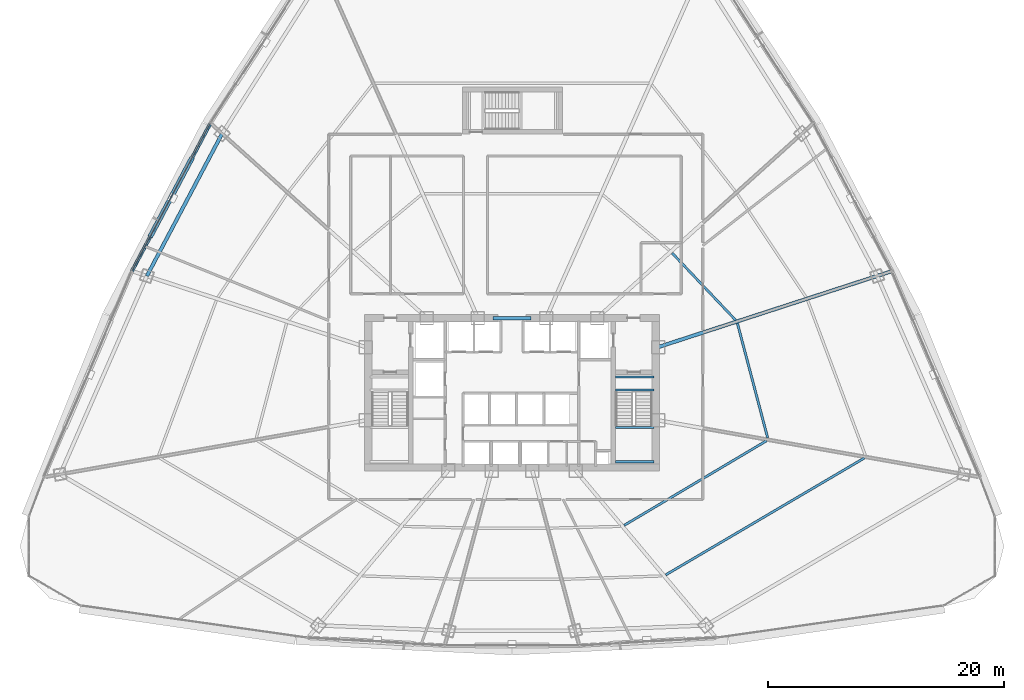
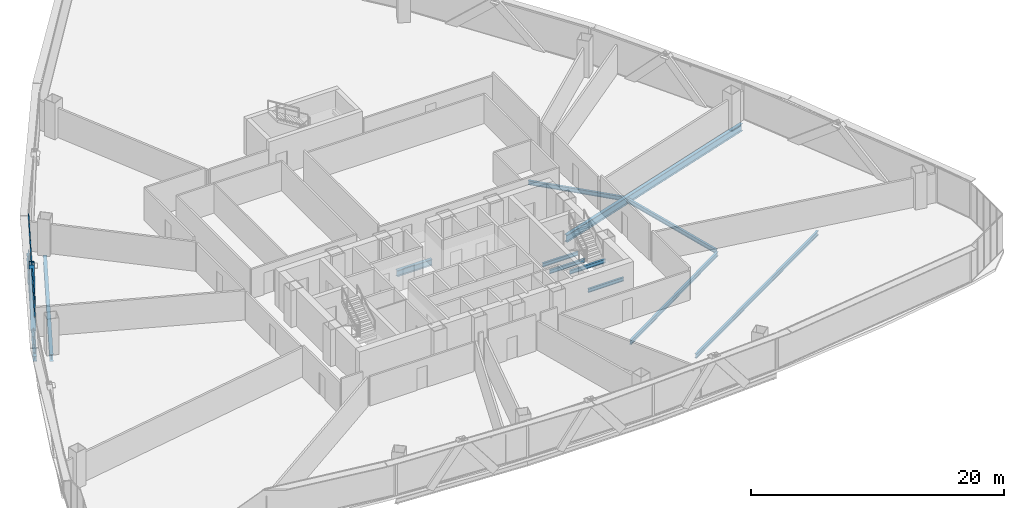
# One storey, part 15 of 41: 12 beams, 4 members, 1 element without a shape of its own.
"""IFC4 building model written with IfcOpenShell, lengths in metres."""

from ifc_helpers import new_model, si_unit, direction, frame, origin, origin_2d, place, context, subcontext, project, spatial, hollow_rectangle, i_section, extrude, source, transform, mapped, material, layer, layer_set, material_profile, profile_set, type_object, element, aggregate, save


model = new_model("IFC4")

# Units and contexts
model_context = context("Model", 3, precision=1e-05, world=origin(), true_north=direction((0.0, 1.0)))
body_context = subcontext(model_context, "Body", "Model", "MODEL_VIEW")
ifc_project = project(units=[si_unit("LENGTHUNIT", "METRE"), si_unit("AREAUNIT", "SQUARE_METRE"), si_unit("VOLUMEUNIT", "CUBIC_METRE"), si_unit("PLANEANGLEUNIT", "RADIAN"), si_unit("MASSUNIT", "GRAM", prefix="KILO"), si_unit("THERMODYNAMICTEMPERATUREUNIT", "KELVIN"), si_unit("POWERUNIT", "WATT")], contexts=[model_context])

# Site, building, storey
site_placement = place(None, origin())
site = spatial("IfcSite", under=ifc_project, at=site_placement, CompositionType="ELEMENT")
building_placement = place(site_placement, origin())
building = spatial("IfcBuilding", under=site, at=building_placement, Name="Yunzhuo Pagoda Commons", CompositionType="ELEMENT")
storey_placement = place(building_placement, frame((0.0, 0.0, 115.3798828125)))
storey = spatial("IfcBuildingStorey", under=building, at=storey_placement, Name="L29", CompositionType="ELEMENT", Elevation=115.3798828125)

# Beams
ifc_material_1 = material(Name="Structural steel Q355B", Category="steel")
ifc_material_profile_1 = material_profile(ifc_material_1, i_section(OverallWidth=0.175048828125, OverallDepth=0.35009765625, WebThickness=0.007080078125, FlangeThickness=0.010986328125, at=origin_2d()), Name="Structural steel Q355B")
ifc_profile_set_1 = profile_set([ifc_material_profile_1], Name="Structural steel Q355B")
beam_type_1 = type_object("IfcBeamType", Name="B-JS2 Joist HN 350x175x7x11", PredefinedType="JOIST", material=ifc_profile_set_1)
shared_shape_1 = source(origin(), body_context, "Body", "SweptSolid", [
    extrude(i_section(OverallWidth=0.175048828125, OverallDepth=0.35009765625, WebThickness=0.007080078125, FlangeThickness=0.010986328125, at=origin_2d()), origin(), (0.0, 0.0, 1.0), 3.25),
])
for number, where, z_axis, x_axis, name in (
    (1, (56.800048828125, 28.0, 1.525146484375), (1.0, 0.0, 0.0), (0.0, 1.0, 0.0), "L29 ST2 landing support beam 35A"),
    (2, (56.800048828125, 30.89990234375, 1.525146484375), (1.0, 0.0, 0.0), (0.0, 1.0, 0.0), "L29 ST2 landing support beam 35B"),
    (3, (56.800048828125, 34.10009765625, -0.375), (1.0, 0.0, 0.0), (0.0, 1.0, 0.0), "L29 ST2 landing support beam 133A"),
    (4, (56.800048828125, 35.199951171875, -0.375), (1.0, 0.0, 0.0), (0.0, 1.0, 0.0), "L29 ST2 landing support beam 133B"),
):
    element("IfcBeam", number, at=place(storey_placement, frame(where, z_axis=z_axis, x_axis=x_axis)), inside=storey, type_object=beam_type_1, Name=name, PredefinedType="JOIST", context=body_context, shape_type="MappedRepresentation", body=[
        mapped(shared_shape_1, transform((0.0, 0.0, 0.0), scale=1.0)),
    ])
ifc_material_2 = material(Name="Structural steel Q420B", Category="steel")
ifc_material_profile_2 = material_profile(ifc_material_2, i_section(OverallWidth=0.300048828125, OverallDepth=0.587890625, WebThickness=0.011962890625, FlangeThickness=0.02001953125, at=origin_2d()), Name="Structural steel Q420B")
ifc_profile_set_2 = profile_set([ifc_material_profile_2], Name="Structural steel Q420B")
beam_type_2 = type_object("IfcBeamType", Name="B-CPL Beam HM 588x300x12x20", PredefinedType="BEAM", material=ifc_profile_set_2)
shared_shape_2 = source(origin(), body_context, "Body", "SweptSolid", [
    extrude(i_section(OverallWidth=0.300048828125, OverallDepth=0.587890625, WebThickness=0.011962890625, FlangeThickness=0.02001953125, at=origin_2d()), origin(), (0.0, 0.0, 1.0), 3.2001953125),
])
beam_1_placement = place(storey_placement, frame((46.39990234375, 40.199951171875, -0.553955078125), z_axis=(1.0, 0.0, 0.0), x_axis=(0.0, 1.0, 0.0)))
element("IfcBeam", 5, at=beam_1_placement, inside=storey, type_object=beam_type_2, Name="L29 core coupling girder", PredefinedType="BEAM", context=body_context, shape_type="MappedRepresentation", body=[
    mapped(shared_shape_2, transform((0.0, 0.0, 0.0), scale=1.0)),
])
ifc_material_profile_3 = material_profile(ifc_material_1, i_section(OverallWidth=0.300048828125, OverallDepth=0.699951171875, WebThickness=0.012939453125, FlangeThickness=0.02392578125, at=origin_2d()), Name="Structural steel Q355B")
ifc_profile_set_3 = profile_set([ifc_material_profile_3], Name="Structural steel Q355B")
beam_type_3 = type_object("IfcBeamType", Name="B-RG1 Beam HN 700x300x13x24", PredefinedType="BEAM", material=ifc_profile_set_3)
shared_shape_3 = source(origin(), body_context, "Body", "SweptSolid", [
    extrude(i_section(OverallWidth=0.300048828125, OverallDepth=0.699951171875, WebThickness=0.012939453125, FlangeThickness=0.02392578125, at=origin_2d()), origin(), (0.0, 0.0, 1.0), 13.66748046875),
])
beam_2_placement = place(storey_placement, frame((23.397216796875, 55.852294921875, -0.609619140625), z_axis=(-0.467383716456, -0.88405455804, 0.0), x_axis=(0.88405455804, -0.467383716456, 0.0)))
element("IfcBeam", 6, at=beam_2_placement, inside=storey, type_object=beam_type_3, Name="L29 column-ring beam 10", PredefinedType="BEAM", context=body_context, shape_type="MappedRepresentation", body=[
    mapped(shared_shape_3, transform((0.0, 0.0, 0.0), scale=1.0)),
])
ifc_material_profile_4 = material_profile(ifc_material_1, i_section(OverallWidth=0.199951171875, OverallDepth=0.39990234375, WebThickness=0.008056640625, FlangeThickness=0.012939453125, at=origin_2d()), Name="Structural steel Q355B")
ifc_profile_set_4 = profile_set([ifc_material_profile_4], Name="Structural steel Q355B")
beam_type_4 = type_object("IfcBeamType", Name="B-JS1 Joist HN 400x200x8x13", PredefinedType="JOIST", material=ifc_profile_set_4)
shared_shape_4 = source(origin(), body_context, "Body", "SweptSolid", [
    extrude(i_section(OverallWidth=0.199951171875, OverallDepth=0.39990234375, WebThickness=0.008056640625, FlangeThickness=0.012939453125, at=origin_2d()), origin(), (0.0, 0.0, 1.0), 14.061767578125),
])
beam_3_placement = place(storey_placement, frame((57.517578125, 22.601806640625, -0.4599609375), z_axis=(0.859683443923, 0.510827149088, 0.0), x_axis=(-0.510827149088, 0.859683443923, 0.0)))
element("IfcBeam", 7, at=beam_3_placement, inside=storey, type_object=beam_type_4, Name="L29 composite ring joist 1.4", PredefinedType="JOIST", context=body_context, shape_type="MappedRepresentation", body=[
    mapped(shared_shape_4, transform((0.0, 0.0, 0.0), scale=1.0)),
])
shared_shape_5 = source(origin(), body_context, "Body", "SweptSolid", [
    extrude(i_section(OverallWidth=0.199951171875, OverallDepth=0.39990234375, WebThickness=0.008056640625, FlangeThickness=0.012939453125, at=origin_2d()), origin(), (0.0, 0.0, 1.0), 19.568603515625),
])
beam_4_placement = place(storey_placement, frame((61.04541015625, 18.39697265625, -0.4599609375), z_axis=(0.861862685393, 0.50714170754, 0.0), x_axis=(-0.50714170754, 0.861862685393, 0.0)))
element("IfcBeam", 8, at=beam_4_placement, inside=storey, type_object=beam_type_4, Name="L29 composite ring joist 2.4", PredefinedType="JOIST", context=body_context, shape_type="MappedRepresentation", body=[
    mapped(shared_shape_5, transform((0.0, 0.0, 0.0), scale=1.0)),
])
shared_shape_6 = source(origin(), body_context, "Body", "SweptSolid", [
    extrude(i_section(OverallWidth=0.199951171875, OverallDepth=0.39990234375, WebThickness=0.008056640625, FlangeThickness=0.012939453125, at=origin_2d()), origin(), (0.0, 0.0, 1.0), 10.0634765625),
])
beam_5_placement = place(storey_placement, frame((69.702392578125, 30.019775390625, -0.4599609375), z_axis=(-0.255289713136, 0.966864603948, 0.0), x_axis=(-0.966864603948, -0.255289713136, 0.0)))
element("IfcBeam", 9, at=beam_5_placement, inside=storey, type_object=beam_type_4, Name="L29 composite ring joist 1.5", PredefinedType="JOIST", context=body_context, shape_type="MappedRepresentation", body=[
    mapped(shared_shape_6, transform((0.0, 0.0, 0.0), scale=1.0)),
])
shared_shape_7 = source(origin(), body_context, "Body", "SweptSolid", [
    extrude(i_section(OverallWidth=0.199951171875, OverallDepth=0.39990234375, WebThickness=0.008056640625, FlangeThickness=0.012939453125, at=origin_2d()), origin(), (0.0, 0.0, 1.0), 7.85009765625),
])
beam_6_placement = place(storey_placement, frame((66.9833984375, 40.01904296875, -0.4599609375), z_axis=(-0.687513423145, 0.726171669095, 0.0), x_axis=(-0.726171669095, -0.687513423145, 0.0)))
element("IfcBeam", 10, at=beam_6_placement, inside=storey, type_object=beam_type_4, Name="L29 composite ring joist 1.6", PredefinedType="JOIST", context=body_context, shape_type="MappedRepresentation", body=[
    mapped(shared_shape_7, transform((0.0, 0.0, 0.0), scale=1.0)),
])
shared_shape_8 = source(origin(), body_context, "Body", "SweptSolid", [
    extrude(i_section(OverallWidth=0.300048828125, OverallDepth=0.699951171875, WebThickness=0.012939453125, FlangeThickness=0.02392578125, at=origin_2d()), origin(), (0.0, 0.0, 1.0), 20.725341796875),
])
beam_7_placement = place(storey_placement, frame((80.11083984375, 44.13330078125, -0.609619140625), z_axis=(-0.951058997127, -0.309009359055, 0.0), x_axis=(0.309009359055, -0.951058997127, 0.0)))
element("IfcBeam", 11, at=beam_7_placement, inside=storey, type_object=beam_type_3, Name="L29 radial floor girder F2C2", PredefinedType="BEAM", context=body_context, shape_type="MappedRepresentation", body=[
    mapped(shared_shape_8, transform((0.0, 0.0, 0.0), scale=1.0)),
])
ifc_material_profile_5 = material_profile(ifc_material_1, i_section(OverallWidth=0.300048828125, OverallDepth=0.488037109375, WebThickness=0.010986328125, FlangeThickness=0.01806640625, at=origin_2d()), Name="Structural steel Q355B")
ifc_profile_set_5 = profile_set([ifc_material_profile_5], Name="Structural steel Q355B")
beam_type_5 = type_object("IfcBeamType", Name="B-SP1 Beam HM 488x300x11x18", PredefinedType="BEAM", material=ifc_profile_set_5)
shared_shape_9 = source(origin(), body_context, "Body", "SweptSolid", [
    extrude(i_section(OverallWidth=0.300048828125, OverallDepth=0.488037109375, WebThickness=0.010986328125, FlangeThickness=0.01806640625, at=origin_2d()), origin(), (0.0, 0.0, 1.0), 14.220947265625),
])
beam_8_placement = place(storey_placement, frame((22.407958984375, 56.743408203125, -0.50390625), z_axis=(-0.468761461949, -0.883324794055, 0.0), x_axis=(0.883324794055, -0.468761461949, 0.0)))
element("IfcBeam", 12, at=beam_8_placement, inside=storey, type_object=beam_type_5, Name="L29 facade edge spandrel beam F3.2", PredefinedType="BEAM", context=body_context, shape_type="MappedRepresentation", body=[
    mapped(shared_shape_9, transform((0.0, 0.0, 0.0), scale=1.0)),
])

# Members
ifc_material_profile_6 = material_profile(ifc_material_2, hollow_rectangle(XDim=0.419921875, YDim=0.719970703125, WallThickness=0.028076171875, at=origin_2d()), Name="Structural steel Q420B")
ifc_profile_set_6 = profile_set([ifc_material_profile_6], Name="Structural steel Q420B")
member_type_1 = type_object("IfcMemberType", Name="M-DL1 Brace BOX 720x420x28", PredefinedType="BRACE", material=ifc_profile_set_6)
shared_shape_10 = source(origin(), body_context, "Body", "SweptSolid", [
    extrude(hollow_rectangle(XDim=0.419921875, YDim=0.719970703125, WallThickness=0.028076171875, at=origin_2d()), origin(), (0.0, 0.0, 1.0), 5.189208984375),
])
member_1_placement = place(storey_placement, frame((17.408203125, 47.32177734375, -0.259765625), z_axis=(0.321192267237, 0.605217126957, 0.728387092627), x_axis=(-0.88331478594, 0.468780320555, 0.0)))
element("IfcMember", 13, at=member_1_placement, inside=storey, type_object=member_type_1, Name="L29 facade diamond brace F3.2R", PredefinedType="BRACE", context=body_context, shape_type="MappedRepresentation", body=[
    mapped(shared_shape_10, transform((0.0, 0.0, 0.0), scale=1.0)),
])
shared_shape_11 = source(origin(), body_context, "Body", "SweptSolid", [
    extrude(hollow_rectangle(XDim=0.419921875, YDim=0.719970703125, WallThickness=0.028076171875, at=origin_2d()), origin(), (0.0, 0.0, 1.0), 5.18896484375),
])
member_2_placement = place(storey_placement, frame((20.741455078125, 53.602783203125, -0.259765625), z_axis=(-0.321159217239, -0.605196456394, 0.72841883992), x_axis=(0.883328130313, -0.468755175116, 0.0)))
element("IfcMember", 14, at=member_2_placement, inside=storey, type_object=member_type_1, Name="L29 facade diamond brace F3.2L", PredefinedType="BRACE", context=body_context, shape_type="MappedRepresentation", body=[
    mapped(shared_shape_11, transform((0.0, 0.0, 0.0), scale=1.0)),
])

# Curtain wall, members
ifc_material_3 = material(Name="Anodized aluminium 6063-T6", Category="aluminium")
ifc_layer = layer(ifc_material_3, 0.1650390625)
ifc_layer_set = layer_set([ifc_layer], Name="Anodized aluminium 6063-T6")
curtain_wall_type = type_object("IfcCurtainWallType", Name="CW-LOW Low-Zone Ribbon Curtain Wall", PredefinedType="NOTDEFINED", material=ifc_layer_set)
curtain_wall_placement = place(storey_placement, origin())
curtain_wall = element("IfcCurtainWall", 15, at=curtain_wall_placement, inside=storey, type_object=curtain_wall_type, Name="L29 curtain wall CW-L29-F3B3", PredefinedType="NOTDEFINED")
ifc_material_profile_7 = material_profile(ifc_material_3, hollow_rectangle(XDim=0.06005859375, YDim=0.139892578125, WallThickness=0.00341796875, at=origin_2d()), Name="Anodized aluminium 6063-T6")
ifc_profile_set_7 = profile_set([ifc_material_profile_7], Name="Anodized aluminium 6063-T6")
member_type_2 = type_object("IfcMemberType", Name="CW-LOW-T Transom RHS 140x60x3.5", PredefinedType="USERDEFINED", material=ifc_profile_set_7)
shared_shape_12 = source(origin(), body_context, "Body", "SweptSolid", [
    extrude(hollow_rectangle(XDim=0.06005859375, YDim=0.139892578125, WallThickness=0.00341796875, at=origin_2d()), origin(), (0.0, 0.0, 1.0), 14.0908203125),
])
member_3_placement = place(storey_placement, frame((22.37744140625, 56.685791015625, 0.030029296875), z_axis=(-0.468760780126, -0.883325155883, 0.0), x_axis=(0.883325155883, -0.468760780126, 0.0)))
member_3 = element("IfcMember", 16, at=member_3_placement, type_object=member_type_2, Name="CW transom 1.1", ObjectType="TRANSOM", PredefinedType="USERDEFINED", context=body_context, shape_type="MappedRepresentation", body=[
    mapped(shared_shape_12, transform((0.0, 0.0, 0.0), scale=1.0)),
])
member_4_placement = place(storey_placement, frame((22.37744140625, 56.685791015625, 3.490234375), z_axis=(-0.468760780126, -0.883325155883, 0.0), x_axis=(0.883325155883, -0.468760780126, 0.0)))
member_4 = element("IfcMember", 17, at=member_4_placement, type_object=member_type_2, Name="CW transom 1.2", ObjectType="TRANSOM", PredefinedType="USERDEFINED", context=body_context, shape_type="MappedRepresentation", body=[
    mapped(shared_shape_12, transform((0.0, 0.0, 0.0), scale=1.0)),
])
aggregate(curtain_wall, [member_3, member_4])

save(model, "model.ifc")
